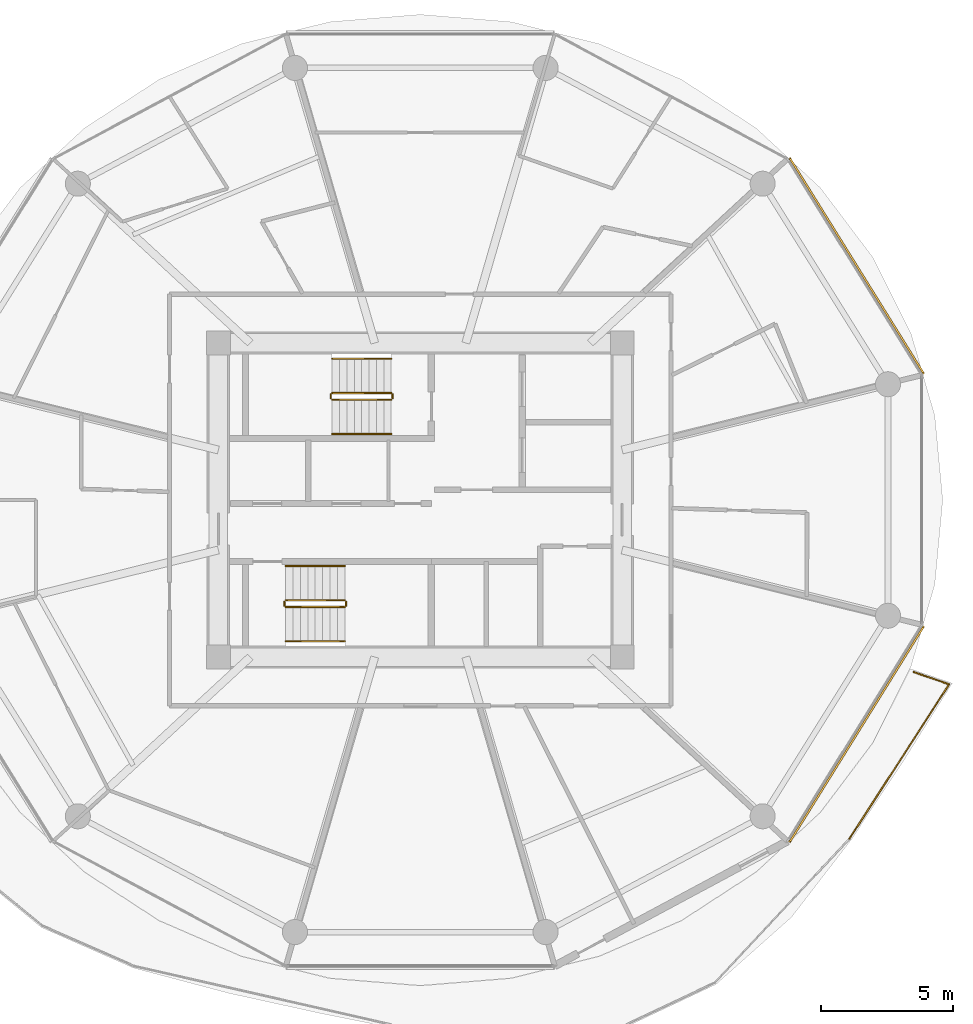
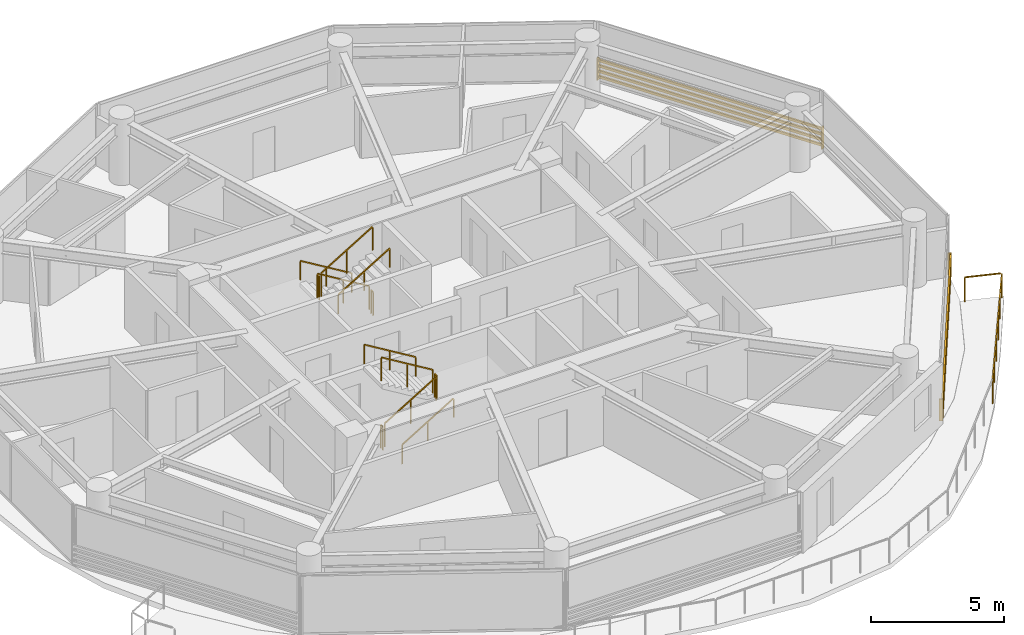
# One storey, part 25 of 26: 13 railings, 2 shading devices.
"""IFC4 building model written with IfcOpenShell, lengths in metres."""

from ifc_helpers import new_model, si_unit, direction, frame, origin, origin_2d, place, context, subcontext, project, spatial, rectangle, extrude, source, transform, mapped, material, type_object, type_shapes, element, save


model = new_model("IFC4")

# Units and contexts
model_context = context("Model", 3, precision=1e-05, world=origin(), true_north=direction((0.0, 1.0)))
body_context = subcontext(model_context, "Body", "Model", "MODEL_VIEW")
ifc_project = project(units=[si_unit("LENGTHUNIT", "METRE"), si_unit("AREAUNIT", "SQUARE_METRE"), si_unit("VOLUMEUNIT", "CUBIC_METRE"), si_unit("PLANEANGLEUNIT", "RADIAN"), si_unit("MASSUNIT", "GRAM", prefix="KILO")], contexts=[model_context])

# Site, building, storey
site_placement = place(None, origin())
site = spatial("IfcSite", under=ifc_project, at=site_placement, CompositionType="ELEMENT")
building_placement = place(site_placement, origin())
building = spatial("IfcBuilding", under=site, at=building_placement, Name="Norrkilde Senior Care Towers", CompositionType="ELEMENT")
storey_placement = place(building_placement, frame((0.0, 0.0, 24.64990234375)))
storey = spatial("IfcBuildingStorey", under=building, at=storey_placement, Name="L06", CompositionType="ELEMENT", Elevation=24.64990234375)

# Railings
ifc_material_1 = material(Name="Anodised Aluminium", Category="aluminium")
railing_type_1 = type_object("IfcRailingType", Name="Balcony Swirl Ribbon Guardrail 1150", PredefinedType="GUARDRAIL", material=ifc_material_1)
railing_1_placement = place(storey_placement, frame((46.69384765625, -6.519287109375, 0.0)))
element("IfcRailing", 1, at=railing_1_placement, inside=storey, type_object=railing_type_1, Name="L06 Perimeter Safety Guard 02", PredefinedType="GUARDRAIL", context=body_context, shape_type="SweptSolid", body=[
    extrude(rectangle(XDim=0.048095703125, YDim=0.048095703125, at=origin_2d()), frame((0.0, 0.0, 1.1259765625), z_axis=(0.945500396699, -0.32562094503, 0.0), x_axis=(0.32562094503, 0.945500396699, 0.0)), (0.0, 0.0, 1.0), 1.3837890625),
    extrude(rectangle(XDim=0.048095703125, YDim=0.048095703125, at=origin_2d()), frame((1.32470703125, -0.498291015625, 1.1259765625), z_axis=(-0.542295430506, -0.84018787545, 0.0), x_axis=(0.84018787545, -0.542295430506, 0.0)), (0.0, 0.0, 1.0), 6.919677734375),
    extrude(rectangle(XDim=0.0419921875, YDim=0.0419921875, at=origin_2d()), origin(), (0.0, 0.0, 1.0), 1.099853515625),
    extrude(rectangle(XDim=0.0419921875, YDim=0.0419921875, at=origin_2d()), frame((1.346923828125, -0.4638671875, 0.0)), (0.0, 0.0, 1.0), 1.099853515625),
    extrude(rectangle(XDim=0.0419921875, YDim=0.0419921875, at=origin_2d()), frame((0.592041015625, -1.633544921875, 0.0)), (0.0, 0.0, 1.0), 1.099853515625),
    extrude(rectangle(XDim=0.0419921875, YDim=0.0419921875, at=origin_2d()), frame((-0.162841796875, -2.80322265625, 0.0)), (0.0, 0.0, 1.0), 1.099853515625),
    extrude(rectangle(XDim=0.0419921875, YDim=0.0419921875, at=origin_2d()), frame((-0.91796875, -3.97265625, 0.0)), (0.0, 0.0, 1.0), 1.099853515625),
    extrude(rectangle(XDim=0.0419921875, YDim=0.0419921875, at=origin_2d()), frame((-1.6728515625, -5.142333984375, 0.0)), (0.0, 0.0, 1.0), 1.099853515625),
    extrude(rectangle(XDim=0.0419921875, YDim=0.0419921875, at=origin_2d()), frame((-2.427734375, -6.31201171875, 0.0)), (0.0, 0.0, 1.0), 1.099853515625),
])
ifc_material_2 = material(Name="Stainless Steel", Category="steel")
railing_type_2 = type_object("IfcRailingType", Name="Stair and Terrace Guardrail 1100", PredefinedType="GUARDRAIL", material=ifc_material_2)
railing_2_placement = place(storey_placement, frame((26.89990234375, 4.050048828125, 0.16943359375)))
element("IfcRailing", 2, at=railing_2_placement, inside=storey, type_object=railing_type_2, Name="L06 ST-E1 stair guard 1", PredefinedType="GUARDRAIL", context=body_context, shape_type="SweptSolid", body=[
    extrude(rectangle(XDim=0.048095703125, YDim=0.048095703125, at=origin_2d()), frame((0.0, 0.0, 1.076171875), z_axis=(-0.855512035549, 0.0, 0.517782924622), x_axis=(0.0, -1.0, 0.0)), (0.0, 0.0, 1.0), 2.618408203125),
    extrude(rectangle(XDim=0.0419921875, YDim=0.0419921875, at=origin_2d()), origin(), (0.0, 0.0, 1.0), 1.050048828125),
    extrude(rectangle(XDim=0.0419921875, YDim=0.0419921875, at=origin_2d()), frame((-1.1201171875, 0.0, 0.677734375)), (0.0, 0.0, 1.0), 1.050048828125),
    extrude(rectangle(XDim=0.0419921875, YDim=0.0419921875, at=origin_2d()), frame((-2.239990234375, 0.0, 1.355712890625)), (0.0, 0.0, 1.0), 1.050048828125),
])
railing_3_placement = place(storey_placement, frame((24.610107421875, 4.0, 1.525146484375)))
element("IfcRailing", 3, at=railing_3_placement, inside=storey, type_object=railing_type_2, Name="L06 ST-E1 stair guard 2", PredefinedType="GUARDRAIL", context=body_context, shape_type="SweptSolid", body=[
    extrude(rectangle(XDim=0.048095703125, YDim=0.048095703125, at=origin_2d()), frame((0.0, 0.0, 1.076171875), z_axis=(0.0, -1.0, 0.0), x_axis=(1.0, 0.0, 0.0)), (0.0, 0.0, 1.0), 0.14990234375),
    extrude(rectangle(XDim=0.0419921875, YDim=0.0419921875, at=origin_2d()), origin(), (0.0, 0.0, 1.0), 1.050048828125),
    extrude(rectangle(XDim=0.0419921875, YDim=0.0419921875, at=origin_2d()), frame((0.0, -0.14990234375, 0.0)), (0.0, 0.0, 1.0), 1.050048828125),
])
railing_4_placement = place(storey_placement, frame((24.659912109375, 3.800048828125, 1.694580078125)))
element("IfcRailing", 4, at=railing_4_placement, inside=storey, type_object=railing_type_2, Name="L06 ST-E1 stair guard 3", PredefinedType="GUARDRAIL", context=body_context, shape_type="SweptSolid", body=[
    extrude(rectangle(XDim=0.048095703125, YDim=0.048095703125, at=origin_2d()), frame((0.0, 0.0, 1.076171875), z_axis=(0.855553338991, 0.0, 0.51771467445), x_axis=(0.0, 1.0, 0.0)), (0.0, 0.0, 1.0), 2.6181640625),
    extrude(rectangle(XDim=0.0419921875, YDim=0.0419921875, at=origin_2d()), origin(), (0.0, 0.0, 1.0), 1.050048828125),
    extrude(rectangle(XDim=0.0419921875, YDim=0.0419921875, at=origin_2d()), frame((1.1201171875, 0.0, 0.677734375)), (0.0, 0.0, 1.0), 1.050048828125),
    extrude(rectangle(XDim=0.0419921875, YDim=0.0419921875, at=origin_2d()), frame((2.239990234375, 0.0, 1.35546875)), (0.0, 0.0, 1.0), 1.050048828125),
])
railing_5_placement = place(storey_placement, frame((26.949951171875, 4.0, 0.0)))
element("IfcRailing", 5, at=railing_5_placement, inside=storey, type_object=railing_type_2, Name="L06 ST-E1 stair guard 4", PredefinedType="GUARDRAIL", context=body_context, shape_type="SweptSolid", body=[
    extrude(rectangle(XDim=0.048095703125, YDim=0.048095703125, at=origin_2d()), frame((0.0, 0.0, 1.076171875), z_axis=(0.0, -1.0, 0.0), x_axis=(1.0, 0.0, 0.0)), (0.0, 0.0, 1.0), 0.14990234375),
    extrude(rectangle(XDim=0.0419921875, YDim=0.0419921875, at=origin_2d()), origin(), (0.0, 0.0, 1.0), 1.050048828125),
    extrude(rectangle(XDim=0.0419921875, YDim=0.0419921875, at=origin_2d()), frame((0.0, -0.14990234375, 0.0)), (0.0, 0.0, 1.0), 1.050048828125),
])
railing_6_placement = place(storey_placement, frame((22.89990234375, -4.050048828125, 0.16943359375)))
element("IfcRailing", 6, at=railing_6_placement, inside=storey, type_object=railing_type_2, Name="L06 ST-E2 stair guard 1", PredefinedType="GUARDRAIL", context=body_context, shape_type="SweptSolid", body=[
    extrude(rectangle(XDim=0.048095703125, YDim=0.048095703125, at=origin_2d()), frame((0.0, 0.0, 1.076171875), z_axis=(0.855512035549, 0.0, 0.517782924622), x_axis=(0.0, 1.0, 0.0)), (0.0, 0.0, 1.0), 2.618408203125),
    extrude(rectangle(XDim=0.0419921875, YDim=0.0419921875, at=origin_2d()), origin(), (0.0, 0.0, 1.0), 1.050048828125),
    extrude(rectangle(XDim=0.0419921875, YDim=0.0419921875, at=origin_2d()), frame((1.1201171875, 0.0, 0.677734375)), (0.0, 0.0, 1.0), 1.050048828125),
    extrude(rectangle(XDim=0.0419921875, YDim=0.0419921875, at=origin_2d()), frame((2.239990234375, 0.0, 1.355712890625)), (0.0, 0.0, 1.0), 1.050048828125),
])
railing_7_placement = place(storey_placement, frame((25.18994140625, -4.0, 1.525146484375)))
element("IfcRailing", 7, at=railing_7_placement, inside=storey, type_object=railing_type_2, Name="L06 ST-E2 stair guard 2", PredefinedType="GUARDRAIL", context=body_context, shape_type="SweptSolid", body=[
    extrude(rectangle(XDim=0.048095703125, YDim=0.048095703125, at=origin_2d()), frame((0.0, 0.0, 1.076171875), z_axis=(0.0, 1.0, 0.0), x_axis=(-1.0, 0.0, 0.0)), (0.0, 0.0, 1.0), 0.14990234375),
    extrude(rectangle(XDim=0.0419921875, YDim=0.0419921875, at=origin_2d()), origin(), (0.0, 0.0, 1.0), 1.050048828125),
    extrude(rectangle(XDim=0.0419921875, YDim=0.0419921875, at=origin_2d()), frame((0.0, 0.14990234375, 0.0)), (0.0, 0.0, 1.0), 1.050048828125),
])
railing_8_placement = place(storey_placement, frame((25.139892578125, -3.800048828125, 1.694580078125)))
element("IfcRailing", 8, at=railing_8_placement, inside=storey, type_object=railing_type_2, Name="L06 ST-E2 stair guard 3", PredefinedType="GUARDRAIL", context=body_context, shape_type="SweptSolid", body=[
    extrude(rectangle(XDim=0.048095703125, YDim=0.048095703125, at=origin_2d()), frame((0.0, 0.0, 1.076171875), z_axis=(-0.855553338991, 0.0, 0.51771467445), x_axis=(0.0, -1.0, 0.0)), (0.0, 0.0, 1.0), 2.6181640625),
    extrude(rectangle(XDim=0.0419921875, YDim=0.0419921875, at=origin_2d()), origin(), (0.0, 0.0, 1.0), 1.050048828125),
    extrude(rectangle(XDim=0.0419921875, YDim=0.0419921875, at=origin_2d()), frame((-1.1201171875, 0.0, 0.677734375)), (0.0, 0.0, 1.0), 1.050048828125),
    extrude(rectangle(XDim=0.0419921875, YDim=0.0419921875, at=origin_2d()), frame((-2.239990234375, 0.0, 1.35546875)), (0.0, 0.0, 1.0), 1.050048828125),
])
railing_9_placement = place(storey_placement, frame((22.85009765625, -4.0, 0.0)))
element("IfcRailing", 9, at=railing_9_placement, inside=storey, type_object=railing_type_2, Name="L06 ST-E2 stair guard 4", PredefinedType="GUARDRAIL", context=body_context, shape_type="SweptSolid", body=[
    extrude(rectangle(XDim=0.048095703125, YDim=0.048095703125, at=origin_2d()), frame((0.0, 0.0, 1.076171875), z_axis=(0.0, 1.0, 0.0), x_axis=(-1.0, 0.0, 0.0)), (0.0, 0.0, 1.0), 0.14990234375),
    extrude(rectangle(XDim=0.0419921875, YDim=0.0419921875, at=origin_2d()), origin(), (0.0, 0.0, 1.0), 1.050048828125),
    extrude(rectangle(XDim=0.0419921875, YDim=0.0419921875, at=origin_2d()), frame((0.0, 0.14990234375, 0.0)), (0.0, 0.0, 1.0), 1.050048828125),
])
ifc_material_3 = material(Name="Nordic Ash Timber", Category="wood")
railing_type_3 = type_object("IfcRailingType", Name="Wall and Stair Handrail 900", PredefinedType="HANDRAIL", material=ifc_material_3)
railing_10_placement = place(storey_placement, frame((26.89990234375, 5.35009765625, 0.16943359375)))
element("IfcRailing", 10, at=railing_10_placement, inside=storey, type_object=railing_type_3, Name="L06 ST-E1 stair handrail 1", PredefinedType="HANDRAIL", context=body_context, shape_type="SweptSolid", body=[
    extrude(rectangle(XDim=0.048095703125, YDim=0.048095703125, at=origin_2d()), frame((0.0, 0.0, 0.8759765625), z_axis=(-0.855512035549, 0.0, 0.517782924622), x_axis=(0.0, -1.0, 0.0)), (0.0, 0.0, 1.0), 2.618408203125),
    extrude(rectangle(XDim=0.0419921875, YDim=0.0419921875, at=origin_2d()), origin(), (0.0, 0.0, 1.0), 0.849853515625),
    extrude(rectangle(XDim=0.0419921875, YDim=0.0419921875, at=origin_2d()), frame((-1.1201171875, 0.0, 0.677734375)), (0.0, 0.0, 1.0), 0.849853515625),
    extrude(rectangle(XDim=0.0419921875, YDim=0.0419921875, at=origin_2d()), frame((-2.239990234375, 0.0, 1.355712890625)), (0.0, 0.0, 1.0), 0.849853515625),
])
railing_11_placement = place(storey_placement, frame((24.659912109375, 2.5, 1.694580078125)))
element("IfcRailing", 11, at=railing_11_placement, inside=storey, type_object=railing_type_3, Name="L06 ST-E1 stair handrail 2", PredefinedType="HANDRAIL", context=body_context, shape_type="SweptSolid", body=[
    extrude(rectangle(XDim=0.048095703125, YDim=0.048095703125, at=origin_2d()), frame((0.0, 0.0, 0.8759765625), z_axis=(0.855553338991, 0.0, 0.51771467445), x_axis=(0.0, 1.0, 0.0)), (0.0, 0.0, 1.0), 2.6181640625),
    extrude(rectangle(XDim=0.0419921875, YDim=0.0419921875, at=origin_2d()), origin(), (0.0, 0.0, 1.0), 0.849853515625),
    extrude(rectangle(XDim=0.0419921875, YDim=0.0419921875, at=origin_2d()), frame((1.1201171875, 0.0, 0.677734375)), (0.0, 0.0, 1.0), 0.849853515625),
    extrude(rectangle(XDim=0.0419921875, YDim=0.0419921875, at=origin_2d()), frame((2.239990234375, 0.0, 1.35546875)), (0.0, 0.0, 1.0), 0.849853515625),
])
railing_12_placement = place(storey_placement, frame((22.89990234375, -5.35009765625, 0.16943359375)))
element("IfcRailing", 12, at=railing_12_placement, inside=storey, type_object=railing_type_3, Name="L06 ST-E2 stair handrail 1", PredefinedType="HANDRAIL", context=body_context, shape_type="SweptSolid", body=[
    extrude(rectangle(XDim=0.048095703125, YDim=0.048095703125, at=origin_2d()), frame((0.0, 0.0, 0.8759765625), z_axis=(0.855512035549, 0.0, 0.517782924622), x_axis=(0.0, 1.0, 0.0)), (0.0, 0.0, 1.0), 2.618408203125),
    extrude(rectangle(XDim=0.0419921875, YDim=0.0419921875, at=origin_2d()), origin(), (0.0, 0.0, 1.0), 0.849853515625),
    extrude(rectangle(XDim=0.0419921875, YDim=0.0419921875, at=origin_2d()), frame((1.1201171875, 0.0, 0.677734375)), (0.0, 0.0, 1.0), 0.849853515625),
    extrude(rectangle(XDim=0.0419921875, YDim=0.0419921875, at=origin_2d()), frame((2.239990234375, 0.0, 1.355712890625)), (0.0, 0.0, 1.0), 0.849853515625),
])
railing_13_placement = place(storey_placement, frame((25.139892578125, -2.5, 1.694580078125)))
element("IfcRailing", 13, at=railing_13_placement, inside=storey, type_object=railing_type_3, Name="L06 ST-E2 stair handrail 2", PredefinedType="HANDRAIL", context=body_context, shape_type="SweptSolid", body=[
    extrude(rectangle(XDim=0.048095703125, YDim=0.048095703125, at=origin_2d()), frame((0.0, 0.0, 0.8759765625), z_axis=(-0.855553338991, 0.0, 0.51771467445), x_axis=(0.0, -1.0, 0.0)), (0.0, 0.0, 1.0), 2.6181640625),
    extrude(rectangle(XDim=0.0419921875, YDim=0.0419921875, at=origin_2d()), origin(), (0.0, 0.0, 1.0), 0.849853515625),
    extrude(rectangle(XDim=0.0419921875, YDim=0.0419921875, at=origin_2d()), frame((-1.1201171875, 0.0, 0.677734375)), (0.0, 0.0, 1.0), 0.849853515625),
    extrude(rectangle(XDim=0.0419921875, YDim=0.0419921875, at=origin_2d()), frame((-2.239990234375, 0.0, 1.35546875)), (0.0, 0.0, 1.0), 0.849853515625),
])

# Shading devices
ifc_material_4 = material(Name="Architectural Terracotta", Category="masonry")
shading_device_type = type_object("IfcShadingDeviceType", Name="Horizontal Terracotta Baguette Rack", PredefinedType="USERDEFINED", material=ifc_material_4)
shared_shape = source(origin(), body_context, "Body", "SweptSolid", [
    extrude(rectangle(XDim=0.070068359375, YDim=0.110107421875, at=origin_2d()), frame((0.0, 0.090087890625, 0.125), z_axis=(1.0, 0.0, 0.0), x_axis=(0.0, 1.0, 0.0)), (0.0, 0.0, 1.0), 9.64892578125),
    extrude(rectangle(XDim=0.070068359375, YDim=0.110107421875, at=origin_2d()), frame((0.0, 0.090087890625, 0.375), z_axis=(1.0, 0.0, 0.0), x_axis=(0.0, 1.0, 0.0)), (0.0, 0.0, 1.0), 9.64892578125),
    extrude(rectangle(XDim=0.070068359375, YDim=0.110107421875, at=origin_2d()), frame((0.0, 0.090087890625, 0.625), z_axis=(1.0, 0.0, 0.0), x_axis=(0.0, 1.0, 0.0)), (0.0, 0.0, 1.0), 9.64892578125),
    extrude(rectangle(XDim=0.070068359375, YDim=0.110107421875, at=origin_2d()), frame((0.0, 0.090087890625, 0.875), z_axis=(1.0, 0.0, 0.0), x_axis=(0.0, 1.0, 0.0)), (0.0, 0.0, 1.0), 9.64892578125),
    extrude(rectangle(XDim=0.050048828125, YDim=0.1552734375, at=origin_2d()), frame((0.02490234375, 0.047607421875, 0.0)), (0.0, 0.0, 1.0), 1.0),
    extrude(rectangle(XDim=0.050048828125, YDim=0.1552734375, at=origin_2d()), frame((9.6240234375, 0.047607421875, 0.0)), (0.0, 0.0, 1.0), 1.0),
])
type_shapes(shading_device_type, [shared_shape])
for number, where, z_axis, x_axis, name in (
    (14, (41.915771484375, 12.926025390625, 0.080078125), (0.0, 0.0, 1.0), (0.527908506655, -0.849299124538, 0.0), "L06 Drum E Terracotta Baguette Screen 00"),
    (15, (47.009521484375, -4.731201171875, 0.080078125), (0.0, 0.0, 1.0), (-0.527908506655, -0.849299124538, 0.0), "L06 Drum E Terracotta Baguette Screen 10"),
):
    element("IfcShadingDevice", number, at=place(storey_placement, frame(where, z_axis=z_axis, x_axis=x_axis)), inside=storey, type_object=shading_device_type, Name=name, ObjectType="BAGUETTE", PredefinedType="USERDEFINED", context=body_context, shape_type="MappedRepresentation", body=[
        mapped(shared_shape, transform((0.0, 0.0, 0.0), x_axis=(1.0, 0.0, 0.0), y_axis=(0.0, 1.0, 0.0), z_axis=(0.0, 0.0, 1.0), scale=1.0)),
    ])

save(model, "model.ifc")
